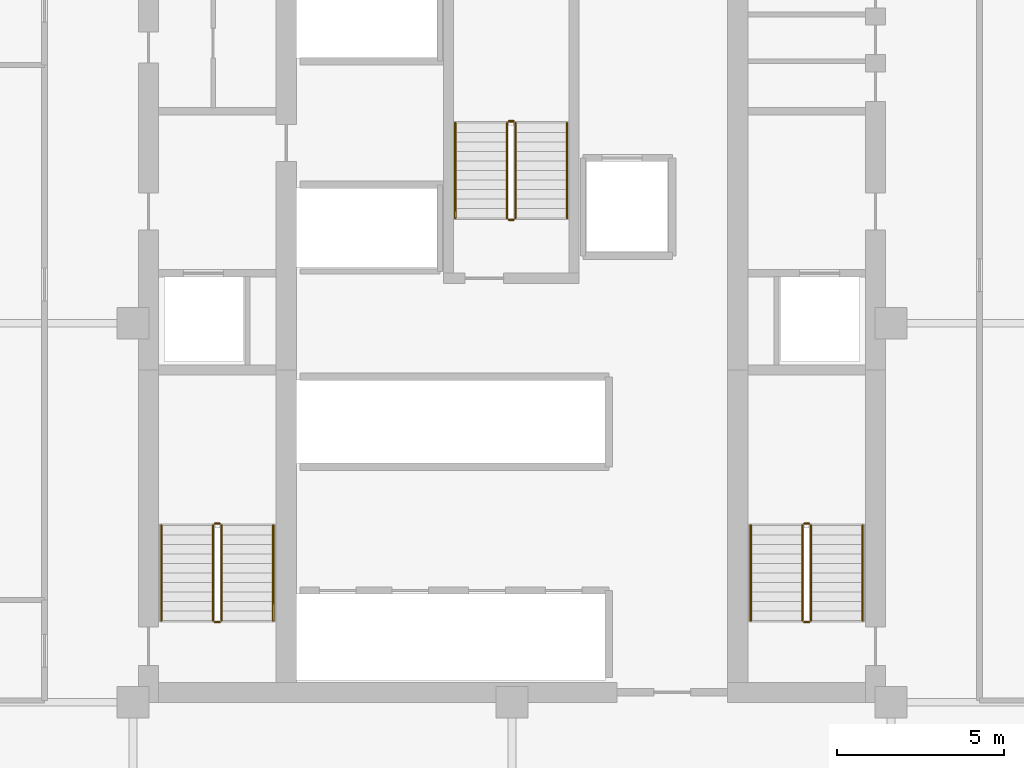
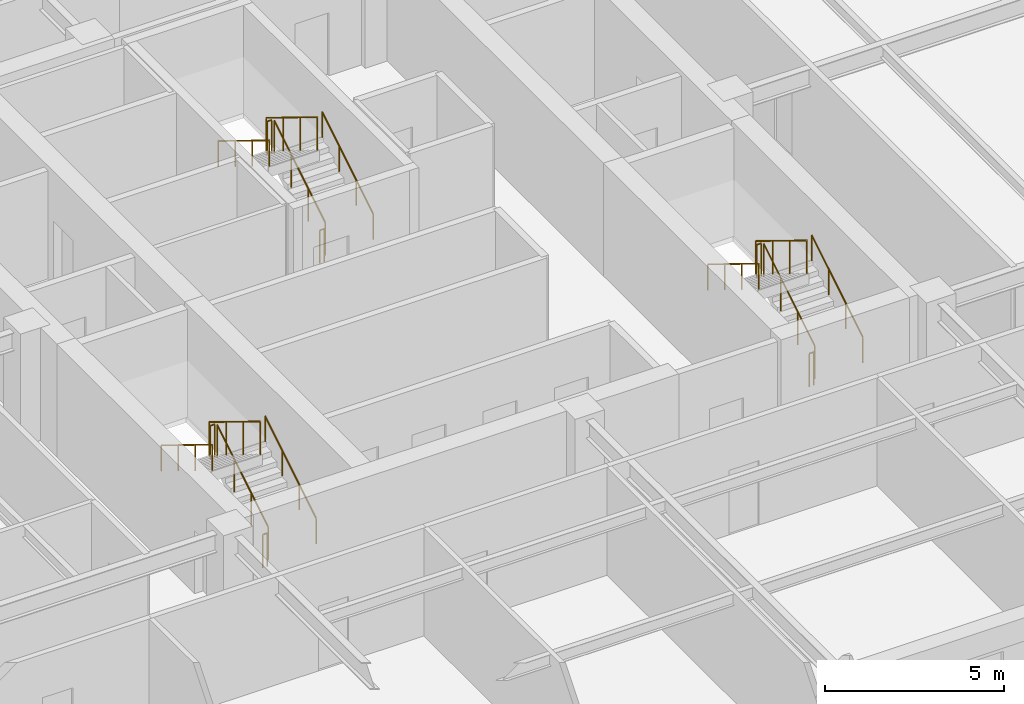
# One storey, part 9 of 9: 18 railings.
"""IFC4 building model written with IfcOpenShell, lengths in metres."""

from ifc_helpers import new_model, si_unit, direction, frame, origin, origin_2d, place, context, subcontext, project, spatial, circle, extrude, material, type_object, element, save


model = new_model("IFC4")

# Units and contexts
model_context = context("Model", 3, precision=1e-05, world=origin(), true_north=direction((0.0, 1.0)))
body_context = subcontext(model_context, "Body", "Model", "MODEL_VIEW")
ifc_project = project(units=[si_unit("LENGTHUNIT", "METRE"), si_unit("AREAUNIT", "SQUARE_METRE"), si_unit("VOLUMEUNIT", "CUBIC_METRE"), si_unit("PLANEANGLEUNIT", "RADIAN"), si_unit("MASSUNIT", "GRAM", prefix="KILO")], contexts=[model_context])

# Site, building, storey
site_placement = place(None, origin())
site = spatial("IfcSite", under=ifc_project, at=site_placement, CompositionType="ELEMENT")
building_placement = place(site_placement, origin())
building = spatial("IfcBuilding", under=site, at=building_placement, Name="Nhamokura Convention Tower", CompositionType="ELEMENT")
storey_placement = place(building_placement, frame((0.0, 0.0, 126.0)))
storey = spatial("IfcBuildingStorey", under=building, at=storey_placement, Name="L30", CompositionType="ELEMENT", Elevation=126.0)

# Railings
ifc_material_1 = material(Name="Anodised bronze stainless steel", Category="steel")
railing_type_1 = type_object("IfcRailingType", Name="StairWallHandrail_900", PredefinedType="HANDRAIL", material=ifc_material_1)
railing_1_placement = place(storey_placement, frame((24.85009765625, 23.10009765625, 0.175048828125)))
element("IfcRailing", 1, at=railing_1_placement, inside=storey, type_object=railing_type_1, Name="L30 ST-01 stair handrail 1", PredefinedType="HANDRAIL", context=body_context, shape_type="SweptSolid", body=[
    extrude(circle(Radius=0.02392578125, at=origin_2d()), frame((0.0, 0.0, 0.8759765625), z_axis=(0.0, 0.852159232446, 0.523282564737), x_axis=(-1.0, 0.0, 0.0)), (0.0, 0.0, 1.0), 3.34423828125),
    extrude(circle(Radius=0.02099609375, at=origin_2d()), origin(), (0.0, 0.0, 1.0), 0.851806640625),
    extrude(circle(Radius=0.02099609375, at=origin_2d()), frame((0.0, 0.949951171875, 0.583251953125)), (0.0, 0.0, 1.0), 0.851806640625),
    extrude(circle(Radius=0.02099609375, at=origin_2d()), frame((0.0, 1.89990234375, 1.166748046875)), (0.0, 0.0, 1.0), 0.851806640625),
    extrude(circle(Radius=0.02099609375, at=origin_2d()), frame((0.0, 2.849853515625, 1.75)), (0.0, 0.0, 1.0), 0.851806640625),
])
railing_2_placement = place(storey_placement, frame((21.5, 25.949951171875, 2.10009765625)))
element("IfcRailing", 2, at=railing_2_placement, inside=storey, type_object=railing_type_1, Name="L30 ST-01 stair handrail 2", PredefinedType="HANDRAIL", context=body_context, shape_type="SweptSolid", body=[
    extrude(circle(Radius=0.02392578125, at=origin_2d()), frame((0.0, 0.0, 0.8759765625), z_axis=(0.0, -0.852159232446, 0.523282564737), x_axis=(1.0, 0.0, 0.0)), (0.0, 0.0, 1.0), 3.34423828125),
    extrude(circle(Radius=0.02099609375, at=origin_2d()), origin(), (0.0, 0.0, 1.0), 0.851806640625),
    extrude(circle(Radius=0.02099609375, at=origin_2d()), frame((0.0, -0.949951171875, 0.583251953125)), (0.0, 0.0, 1.0), 0.851806640625),
    extrude(circle(Radius=0.02099609375, at=origin_2d()), frame((0.0, -1.89990234375, 1.166748046875)), (0.0, 0.0, 1.0), 0.851806640625),
    extrude(circle(Radius=0.02099609375, at=origin_2d()), frame((0.0, -2.849853515625, 1.75)), (0.0, 0.0, 1.0), 0.851806640625),
])
railing_3_placement = place(storey_placement, frame((42.5, 23.10009765625, 0.175048828125)))
element("IfcRailing", 3, at=railing_3_placement, inside=storey, type_object=railing_type_1, Name="L30 ST-02 stair handrail 1", PredefinedType="HANDRAIL", context=body_context, shape_type="SweptSolid", body=[
    extrude(circle(Radius=0.02392578125, at=origin_2d()), frame((0.0, 0.0, 0.8759765625), z_axis=(0.0, 0.852159232446, 0.523282564737), x_axis=(-1.0, 0.0, 0.0)), (0.0, 0.0, 1.0), 3.34423828125),
    extrude(circle(Radius=0.02099609375, at=origin_2d()), origin(), (0.0, 0.0, 1.0), 0.851806640625),
    extrude(circle(Radius=0.02099609375, at=origin_2d()), frame((0.0, 0.949951171875, 0.583251953125)), (0.0, 0.0, 1.0), 0.851806640625),
    extrude(circle(Radius=0.02099609375, at=origin_2d()), frame((0.0, 1.89990234375, 1.166748046875)), (0.0, 0.0, 1.0), 0.851806640625),
    extrude(circle(Radius=0.02099609375, at=origin_2d()), frame((0.0, 2.849853515625, 1.75)), (0.0, 0.0, 1.0), 0.851806640625),
])
railing_4_placement = place(storey_placement, frame((39.14990234375, 25.949951171875, 2.10009765625)))
element("IfcRailing", 4, at=railing_4_placement, inside=storey, type_object=railing_type_1, Name="L30 ST-02 stair handrail 2", PredefinedType="HANDRAIL", context=body_context, shape_type="SweptSolid", body=[
    extrude(circle(Radius=0.02392578125, at=origin_2d()), frame((0.0, 0.0, 0.8759765625), z_axis=(0.0, -0.852159232446, 0.523282564737), x_axis=(1.0, 0.0, 0.0)), (0.0, 0.0, 1.0), 3.34423828125),
    extrude(circle(Radius=0.02099609375, at=origin_2d()), origin(), (0.0, 0.0, 1.0), 0.851806640625),
    extrude(circle(Radius=0.02099609375, at=origin_2d()), frame((0.0, -0.949951171875, 0.583251953125)), (0.0, 0.0, 1.0), 0.851806640625),
    extrude(circle(Radius=0.02099609375, at=origin_2d()), frame((0.0, -1.89990234375, 1.166748046875)), (0.0, 0.0, 1.0), 0.851806640625),
    extrude(circle(Radius=0.02099609375, at=origin_2d()), frame((0.0, -2.849853515625, 1.75)), (0.0, 0.0, 1.0), 0.851806640625),
])
railing_5_placement = place(storey_placement, frame((33.64990234375, 35.14990234375, 0.175048828125)))
element("IfcRailing", 5, at=railing_5_placement, inside=storey, type_object=railing_type_1, Name="L30 ST-03 stair handrail 1", PredefinedType="HANDRAIL", context=body_context, shape_type="SweptSolid", body=[
    extrude(circle(Radius=0.02392578125, at=origin_2d()), frame((0.0, 0.0, 0.8759765625), z_axis=(0.0, 0.852179220489, 0.52325001306), x_axis=(-1.0, 0.0, 0.0)), (0.0, 0.0, 1.0), 3.344482421875),
    extrude(circle(Radius=0.02099609375, at=origin_2d()), origin(), (0.0, 0.0, 1.0), 0.851806640625),
    extrude(circle(Radius=0.02099609375, at=origin_2d()), frame((0.0, 0.949951171875, 0.583251953125)), (0.0, 0.0, 1.0), 0.851806640625),
    extrude(circle(Radius=0.02099609375, at=origin_2d()), frame((0.0, 1.900146484375, 1.166748046875)), (0.0, 0.0, 1.0), 0.851806640625),
    extrude(circle(Radius=0.02099609375, at=origin_2d()), frame((0.0, 2.85009765625, 1.75)), (0.0, 0.0, 1.0), 0.851806640625),
])
railing_6_placement = place(storey_placement, frame((30.300048828125, 38.0, 2.10009765625)))
element("IfcRailing", 6, at=railing_6_placement, inside=storey, type_object=railing_type_1, Name="L30 ST-03 stair handrail 2", PredefinedType="HANDRAIL", context=body_context, shape_type="SweptSolid", body=[
    extrude(circle(Radius=0.02392578125, at=origin_2d()), frame((0.0, 0.0, 0.8759765625), z_axis=(0.0, -0.852179220489, 0.52325001306), x_axis=(1.0, 0.0, 0.0)), (0.0, 0.0, 1.0), 3.344482421875),
    extrude(circle(Radius=0.02099609375, at=origin_2d()), origin(), (0.0, 0.0, 1.0), 0.851806640625),
    extrude(circle(Radius=0.02099609375, at=origin_2d()), frame((0.0, -0.949951171875, 0.583251953125)), (0.0, 0.0, 1.0), 0.851806640625),
    extrude(circle(Radius=0.02099609375, at=origin_2d()), frame((0.0, -1.900146484375, 1.166748046875)), (0.0, 0.0, 1.0), 0.851806640625),
    extrude(circle(Radius=0.02099609375, at=origin_2d()), frame((0.0, -2.85009765625, 1.75)), (0.0, 0.0, 1.0), 0.851806640625),
])
ifc_material_2 = material(Name="Painted tubular steel", Category="steel")
railing_type_2 = type_object("IfcRailingType", Name="StairWellGuardrail_1150", PredefinedType="GUARDRAIL", material=ifc_material_2)
railing_7_placement = place(storey_placement, frame((23.300048828125, 23.10009765625, 0.175048828125)))
element("IfcRailing", 7, at=railing_7_placement, inside=storey, type_object=railing_type_2, Name="L30 ST-01 stair guard 1", PredefinedType="GUARDRAIL", context=body_context, shape_type="SweptSolid", body=[
    extrude(circle(Radius=0.02392578125, at=origin_2d()), frame((0.0, 0.0, 1.1259765625), z_axis=(0.0, 0.852159232446, 0.523282564737), x_axis=(-1.0, 0.0, 0.0)), (0.0, 0.0, 1.0), 3.34423828125),
    extrude(circle(Radius=0.02099609375, at=origin_2d()), origin(), (0.0, 0.0, 1.0), 1.101806640625),
    extrude(circle(Radius=0.02099609375, at=origin_2d()), frame((0.0, 0.949951171875, 0.583251953125)), (0.0, 0.0, 1.0), 1.101806640625),
    extrude(circle(Radius=0.02099609375, at=origin_2d()), frame((0.0, 1.89990234375, 1.166748046875)), (0.0, 0.0, 1.0), 1.101806640625),
    extrude(circle(Radius=0.02099609375, at=origin_2d()), frame((0.0, 2.849853515625, 1.75)), (0.0, 0.0, 1.0), 1.101806640625),
])
railing_8_placement = place(storey_placement, frame((23.25, 26.0, 1.925048828125)))
element("IfcRailing", 8, at=railing_8_placement, inside=storey, type_object=railing_type_2, Name="L30 ST-01 stair guard 2", PredefinedType="GUARDRAIL", context=body_context, shape_type="SweptSolid", body=[
    extrude(circle(Radius=0.02392578125, at=origin_2d()), frame((0.0, 0.0, 1.1259765625), z_axis=(-1.0, 0.0, 0.0), x_axis=(0.0, -1.0, 0.0)), (0.0, 0.0, 1.0), 0.14990234375),
    extrude(circle(Radius=0.02099609375, at=origin_2d()), origin(), (0.0, 0.0, 1.0), 1.101806640625),
    extrude(circle(Radius=0.02099609375, at=origin_2d()), frame((-0.14990234375, 0.0, 0.0)), (0.0, 0.0, 1.0), 1.101806640625),
])
railing_9_placement = place(storey_placement, frame((23.050048828125, 25.949951171875, 2.10009765625)))
element("IfcRailing", 9, at=railing_9_placement, inside=storey, type_object=railing_type_2, Name="L30 ST-01 stair guard 3", PredefinedType="GUARDRAIL", context=body_context, shape_type="SweptSolid", body=[
    extrude(circle(Radius=0.02392578125, at=origin_2d()), frame((0.0, 0.0, 1.1259765625), z_axis=(0.0, -0.852159232446, 0.523282564737), x_axis=(1.0, 0.0, 0.0)), (0.0, 0.0, 1.0), 3.34423828125),
    extrude(circle(Radius=0.02099609375, at=origin_2d()), origin(), (0.0, 0.0, 1.0), 1.101806640625),
    extrude(circle(Radius=0.02099609375, at=origin_2d()), frame((0.0, -0.949951171875, 0.583251953125)), (0.0, 0.0, 1.0), 1.101806640625),
    extrude(circle(Radius=0.02099609375, at=origin_2d()), frame((0.0, -1.89990234375, 1.166748046875)), (0.0, 0.0, 1.0), 1.101806640625),
    extrude(circle(Radius=0.02099609375, at=origin_2d()), frame((0.0, -2.849853515625, 1.75)), (0.0, 0.0, 1.0), 1.101806640625),
])
railing_10_placement = place(storey_placement, frame((23.25, 23.050048828125, 0.0)))
element("IfcRailing", 10, at=railing_10_placement, inside=storey, type_object=railing_type_2, Name="L30 ST-01 stair guard 4", PredefinedType="GUARDRAIL", context=body_context, shape_type="SweptSolid", body=[
    extrude(circle(Radius=0.02392578125, at=origin_2d()), frame((0.0, 0.0, 1.1259765625), z_axis=(-1.0, 0.0, 0.0), x_axis=(0.0, -1.0, 0.0)), (0.0, 0.0, 1.0), 0.14990234375),
    extrude(circle(Radius=0.02099609375, at=origin_2d()), origin(), (0.0, 0.0, 1.0), 1.101806640625),
    extrude(circle(Radius=0.02099609375, at=origin_2d()), frame((-0.14990234375, 0.0, 0.0)), (0.0, 0.0, 1.0), 1.101806640625),
])
railing_11_placement = place(storey_placement, frame((40.949951171875, 23.10009765625, 0.175048828125)))
element("IfcRailing", 11, at=railing_11_placement, inside=storey, type_object=railing_type_2, Name="L30 ST-02 stair guard 1", PredefinedType="GUARDRAIL", context=body_context, shape_type="SweptSolid", body=[
    extrude(circle(Radius=0.02392578125, at=origin_2d()), frame((0.0, 0.0, 1.1259765625), z_axis=(0.0, 0.852159232446, 0.523282564737), x_axis=(-1.0, 0.0, 0.0)), (0.0, 0.0, 1.0), 3.34423828125),
    extrude(circle(Radius=0.02099609375, at=origin_2d()), origin(), (0.0, 0.0, 1.0), 1.101806640625),
    extrude(circle(Radius=0.02099609375, at=origin_2d()), frame((0.0, 0.949951171875, 0.583251953125)), (0.0, 0.0, 1.0), 1.101806640625),
    extrude(circle(Radius=0.02099609375, at=origin_2d()), frame((0.0, 1.89990234375, 1.166748046875)), (0.0, 0.0, 1.0), 1.101806640625),
    extrude(circle(Radius=0.02099609375, at=origin_2d()), frame((0.0, 2.849853515625, 1.75)), (0.0, 0.0, 1.0), 1.101806640625),
])
railing_12_placement = place(storey_placement, frame((40.89990234375, 26.0, 1.925048828125)))
element("IfcRailing", 12, at=railing_12_placement, inside=storey, type_object=railing_type_2, Name="L30 ST-02 stair guard 2", PredefinedType="GUARDRAIL", context=body_context, shape_type="SweptSolid", body=[
    extrude(circle(Radius=0.02392578125, at=origin_2d()), frame((0.0, 0.0, 1.1259765625), z_axis=(-1.0, 0.0, 0.0), x_axis=(0.0, -1.0, 0.0)), (0.0, 0.0, 1.0), 0.14990234375),
    extrude(circle(Radius=0.02099609375, at=origin_2d()), origin(), (0.0, 0.0, 1.0), 1.101806640625),
    extrude(circle(Radius=0.02099609375, at=origin_2d()), frame((-0.14990234375, 0.0, 0.0)), (0.0, 0.0, 1.0), 1.101806640625),
])
railing_13_placement = place(storey_placement, frame((40.699951171875, 25.949951171875, 2.10009765625)))
element("IfcRailing", 13, at=railing_13_placement, inside=storey, type_object=railing_type_2, Name="L30 ST-02 stair guard 3", PredefinedType="GUARDRAIL", context=body_context, shape_type="SweptSolid", body=[
    extrude(circle(Radius=0.02392578125, at=origin_2d()), frame((0.0, 0.0, 1.1259765625), z_axis=(0.0, -0.852159232446, 0.523282564737), x_axis=(1.0, 0.0, 0.0)), (0.0, 0.0, 1.0), 3.34423828125),
    extrude(circle(Radius=0.02099609375, at=origin_2d()), origin(), (0.0, 0.0, 1.0), 1.101806640625),
    extrude(circle(Radius=0.02099609375, at=origin_2d()), frame((0.0, -0.949951171875, 0.583251953125)), (0.0, 0.0, 1.0), 1.101806640625),
    extrude(circle(Radius=0.02099609375, at=origin_2d()), frame((0.0, -1.89990234375, 1.166748046875)), (0.0, 0.0, 1.0), 1.101806640625),
    extrude(circle(Radius=0.02099609375, at=origin_2d()), frame((0.0, -2.849853515625, 1.75)), (0.0, 0.0, 1.0), 1.101806640625),
])
railing_14_placement = place(storey_placement, frame((40.89990234375, 23.050048828125, 0.0)))
element("IfcRailing", 14, at=railing_14_placement, inside=storey, type_object=railing_type_2, Name="L30 ST-02 stair guard 4", PredefinedType="GUARDRAIL", context=body_context, shape_type="SweptSolid", body=[
    extrude(circle(Radius=0.02392578125, at=origin_2d()), frame((0.0, 0.0, 1.1259765625), z_axis=(-1.0, 0.0, 0.0), x_axis=(0.0, -1.0, 0.0)), (0.0, 0.0, 1.0), 0.14990234375),
    extrude(circle(Radius=0.02099609375, at=origin_2d()), origin(), (0.0, 0.0, 1.0), 1.101806640625),
    extrude(circle(Radius=0.02099609375, at=origin_2d()), frame((-0.14990234375, 0.0, 0.0)), (0.0, 0.0, 1.0), 1.101806640625),
])
railing_15_placement = place(storey_placement, frame((32.10009765625, 35.14990234375, 0.175048828125)))
element("IfcRailing", 15, at=railing_15_placement, inside=storey, type_object=railing_type_2, Name="L30 ST-03 stair guard 1", PredefinedType="GUARDRAIL", context=body_context, shape_type="SweptSolid", body=[
    extrude(circle(Radius=0.02392578125, at=origin_2d()), frame((0.0, 0.0, 1.1259765625), z_axis=(0.0, 0.852179220489, 0.52325001306), x_axis=(-1.0, 0.0, 0.0)), (0.0, 0.0, 1.0), 3.344482421875),
    extrude(circle(Radius=0.02099609375, at=origin_2d()), origin(), (0.0, 0.0, 1.0), 1.101806640625),
    extrude(circle(Radius=0.02099609375, at=origin_2d()), frame((0.0, 0.949951171875, 0.583251953125)), (0.0, 0.0, 1.0), 1.101806640625),
    extrude(circle(Radius=0.02099609375, at=origin_2d()), frame((0.0, 1.900146484375, 1.166748046875)), (0.0, 0.0, 1.0), 1.101806640625),
    extrude(circle(Radius=0.02099609375, at=origin_2d()), frame((0.0, 2.85009765625, 1.75)), (0.0, 0.0, 1.0), 1.101806640625),
])
railing_16_placement = place(storey_placement, frame((32.050048828125, 38.050048828125, 1.925048828125)))
element("IfcRailing", 16, at=railing_16_placement, inside=storey, type_object=railing_type_2, Name="L30 ST-03 stair guard 2", PredefinedType="GUARDRAIL", context=body_context, shape_type="SweptSolid", body=[
    extrude(circle(Radius=0.02392578125, at=origin_2d()), frame((0.0, 0.0, 1.1259765625), z_axis=(-1.0, 0.0, 0.0), x_axis=(0.0, -1.0, 0.0)), (0.0, 0.0, 1.0), 0.150146484375),
    extrude(circle(Radius=0.02099609375, at=origin_2d()), origin(), (0.0, 0.0, 1.0), 1.101806640625),
    extrude(circle(Radius=0.02099609375, at=origin_2d()), frame((-0.150146484375, 0.0, 0.0)), (0.0, 0.0, 1.0), 1.101806640625),
])
railing_17_placement = place(storey_placement, frame((31.85009765625, 38.0, 2.10009765625)))
element("IfcRailing", 17, at=railing_17_placement, inside=storey, type_object=railing_type_2, Name="L30 ST-03 stair guard 3", PredefinedType="GUARDRAIL", context=body_context, shape_type="SweptSolid", body=[
    extrude(circle(Radius=0.02392578125, at=origin_2d()), frame((0.0, 0.0, 1.1259765625), z_axis=(0.0, -0.852179220489, 0.52325001306), x_axis=(1.0, 0.0, 0.0)), (0.0, 0.0, 1.0), 3.344482421875),
    extrude(circle(Radius=0.02099609375, at=origin_2d()), origin(), (0.0, 0.0, 1.0), 1.101806640625),
    extrude(circle(Radius=0.02099609375, at=origin_2d()), frame((0.0, -0.949951171875, 0.583251953125)), (0.0, 0.0, 1.0), 1.101806640625),
    extrude(circle(Radius=0.02099609375, at=origin_2d()), frame((0.0, -1.900146484375, 1.166748046875)), (0.0, 0.0, 1.0), 1.101806640625),
    extrude(circle(Radius=0.02099609375, at=origin_2d()), frame((0.0, -2.85009765625, 1.75)), (0.0, 0.0, 1.0), 1.101806640625),
])
railing_18_placement = place(storey_placement, frame((32.050048828125, 35.10009765625, 0.0)))
element("IfcRailing", 18, at=railing_18_placement, inside=storey, type_object=railing_type_2, Name="L30 ST-03 stair guard 4", PredefinedType="GUARDRAIL", context=body_context, shape_type="SweptSolid", body=[
    extrude(circle(Radius=0.02392578125, at=origin_2d()), frame((0.0, 0.0, 1.1259765625), z_axis=(-1.0, 0.0, 0.0), x_axis=(0.0, -1.0, 0.0)), (0.0, 0.0, 1.0), 0.150146484375),
    extrude(circle(Radius=0.02099609375, at=origin_2d()), origin(), (0.0, 0.0, 1.0), 1.101806640625),
    extrude(circle(Radius=0.02099609375, at=origin_2d()), frame((-0.150146484375, 0.0, 0.0)), (0.0, 0.0, 1.0), 1.101806640625),
])

save(model, "model.ifc")
